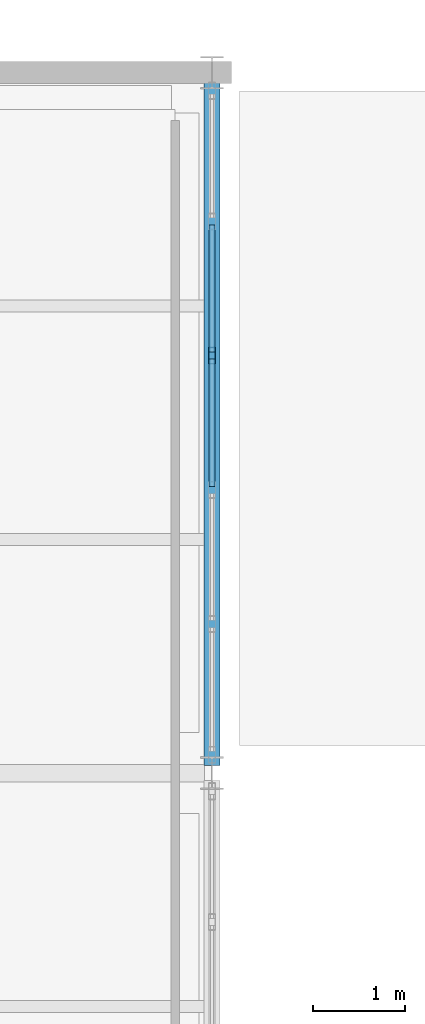
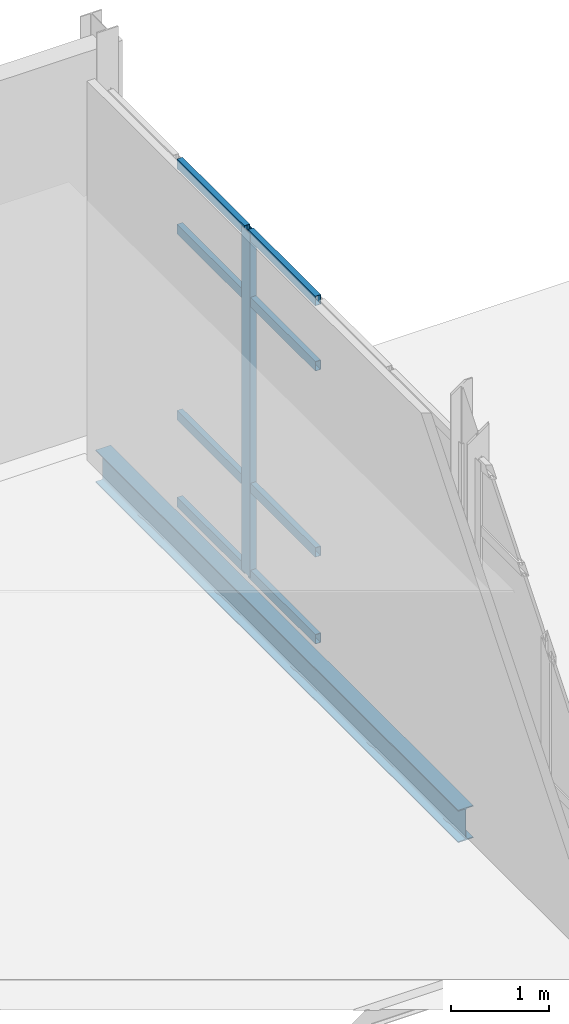
# One storey, part 74 of 161: 9 members, 1 beam, 1 element without a shape of its own.
"""IFC4 building model written with IfcOpenShell, lengths in metres."""

from ifc_helpers import new_model, si_unit, direction, frame, origin, origin_2d, place, context, subcontext, project, spatial, hollow_rectangle, i_section, extrude, material, material_profile, profile_set, type_object, element, aggregate, save


model = new_model("IFC4")

# Units and contexts
model_context = context("Model", 3, precision=1e-05, world=origin(), true_north=direction((0.0, 1.0)))
body_context = subcontext(model_context, "Body", "Model", "MODEL_VIEW")
ifc_project = project(units=[si_unit("LENGTHUNIT", "METRE"), si_unit("AREAUNIT", "SQUARE_METRE"), si_unit("VOLUMEUNIT", "CUBIC_METRE"), si_unit("PLANEANGLEUNIT", "RADIAN"), si_unit("MASSUNIT", "GRAM", prefix="KILO")], contexts=[model_context])

# Site, building, storey
site_placement = place(None, origin())
site = spatial("IfcSite", under=ifc_project, at=site_placement, CompositionType="ELEMENT")
building_placement = place(site_placement, origin())
building = spatial("IfcBuilding", under=site, at=building_placement, Name="Caisbarro Railhouse Central Library", CompositionType="ELEMENT")
storey_placement = place(building_placement, origin())
storey = spatial("IfcBuildingStorey", under=building, at=storey_placement, Name="L00", CompositionType="ELEMENT", Elevation=0.0)

# Beam
ifc_material_1 = material(Name="Steel ASTM A572 Grade 50", Category="steel")
ifc_material_profile_1 = material_profile(ifc_material_1, i_section(OverallWidth=0.177978515625, OverallDepth=0.406982421875, WebThickness=0.0078125, FlangeThickness=0.0126953125, FilletRadius=0.01611328125, at=origin_2d()), Name="W410X60.0")
ifc_profile_set_1 = profile_set([ifc_material_profile_1], Name="Steel ASTM A572 Grade 50")
beam_type = type_object("IfcBeamType", Name="BM-G10", PredefinedType="BEAM", material=ifc_profile_set_1)
beam_placement = place(storey_placement, frame((36.0, 106.47998046875, -0.45361328125), z_axis=(0.0, 1.0, 0.0), x_axis=(-1.0, 0.0, 0.0)))
element("IfcBeam", 1, at=beam_placement, inside=storey, type_object=beam_type, Name="G10 beam L00 #420", PredefinedType="BEAM", context=body_context, shape_type="SweptSolid", body=[
    extrude(i_section(OverallWidth=0.177978515625, OverallDepth=0.406982421875, WebThickness=0.0078125, FlangeThickness=0.0126953125, FilletRadius=0.01611328125, at=origin_2d()), origin(), (0.0, 0.0, 1.0), 7.43994140625),
])

# Curtain wall, members
ifc_material_2 = material(Name="Anodised architectural aluminium", Category="aluminium")
curtain_wall_type = type_object("IfcCurtainWallType", Name="CW-CW02", PredefinedType="NOTDEFINED", material=ifc_material_2)
curtain_wall_placement = place(storey_placement, origin())
curtain_wall = element("IfcCurtainWall", 2, at=curtain_wall_placement, inside=storey, type_object=curtain_wall_type, Name="CW02 curtain wall L00 #79", PredefinedType="NOTDEFINED")
ifc_material_profile_2 = material_profile(ifc_material_2, hollow_rectangle(XDim=0.074951171875, YDim=0.179931640625, WallThickness=0.00439453125, at=origin_2d()), Name="ALU-MUL-75X180")
ifc_profile_set_2 = profile_set([ifc_material_profile_2], Name="Anodised architectural aluminium")
member_type_1 = type_object("IfcMemberType", Name="CWM-M01", PredefinedType="MULLION", material=ifc_profile_set_2)
member_1_placement = place(storey_placement, frame((36.0, 110.927978515625, 0.0), z_axis=(0.0, 0.0, 1.0), x_axis=(-1.0, 0.0, 0.0)))
member_1 = element("IfcMember", 3, at=member_1_placement, type_object=member_type_1, Name="CW02 mullion 4", PredefinedType="MULLION", context=body_context, shape_type="SweptSolid", body=[
    extrude(hollow_rectangle(XDim=0.074951171875, YDim=0.179931640625, WallThickness=0.00439453125, at=origin_2d()), origin(), (0.0, 0.0, 1.0), 4.300048828125),
])
ifc_material_profile_3 = material_profile(ifc_material_2, hollow_rectangle(XDim=0.06494140625, YDim=0.1201171875, WallThickness=0.00341796875, at=origin_2d()), Name="ALU-TRN-65X120")
ifc_profile_set_3 = profile_set([ifc_material_profile_3], Name="Anodised architectural aluminium")
member_type_2 = type_object("IfcMemberType", Name="CWT-T02", PredefinedType="USERDEFINED", material=ifc_profile_set_3)
member_2_placement = place(storey_placement, frame((36.0, 109.509521484375, 0.032470703125), z_axis=(0.0, 1.0, 0.0), x_axis=(-1.0, 0.0, 0.0)))
member_2 = element("IfcMember", 4, at=member_2_placement, type_object=member_type_2, Name="CW02 transom 3.1", ObjectType="TRANSOM", PredefinedType="USERDEFINED", context=body_context, shape_type="SweptSolid", body=[
    extrude(hollow_rectangle(XDim=0.06494140625, YDim=0.1201171875, WallThickness=0.00341796875, at=origin_2d()), origin(), (0.0, 0.0, 1.0), 1.380859375),
])
member_3_placement = place(storey_placement, frame((36.0, 109.509521484375, 1.1201171875), z_axis=(0.0, 1.0, 0.0), x_axis=(-1.0, 0.0, 0.0)))
member_3 = element("IfcMember", 5, at=member_3_placement, type_object=member_type_2, Name="CW02 transom 3.2", ObjectType="TRANSOM", PredefinedType="USERDEFINED", context=body_context, shape_type="SweptSolid", body=[
    extrude(hollow_rectangle(XDim=0.06494140625, YDim=0.1201171875, WallThickness=0.00341796875, at=origin_2d()), origin(), (0.0, 0.0, 1.0), 1.380859375),
])
member_4_placement = place(storey_placement, frame((36.0, 109.509521484375, 3.449951171875), z_axis=(0.0, 1.0, 0.0), x_axis=(-1.0, 0.0, 0.0)))
member_4 = element("IfcMember", 6, at=member_4_placement, type_object=member_type_2, Name="CW02 transom 3.3", ObjectType="TRANSOM", PredefinedType="USERDEFINED", context=body_context, shape_type="SweptSolid", body=[
    extrude(hollow_rectangle(XDim=0.06494140625, YDim=0.1201171875, WallThickness=0.00341796875, at=origin_2d()), origin(), (0.0, 0.0, 1.0), 1.380859375),
])
member_5_placement = place(storey_placement, frame((36.0, 109.509521484375, 4.267578125), z_axis=(0.0, 1.0, 0.0), x_axis=(-1.0, 0.0, 0.0)))
member_5 = element("IfcMember", 7, at=member_5_placement, type_object=member_type_2, Name="CW02 transom 3.4", ObjectType="TRANSOM", PredefinedType="USERDEFINED", context=body_context, shape_type="SweptSolid", body=[
    extrude(hollow_rectangle(XDim=0.06494140625, YDim=0.1201171875, WallThickness=0.00341796875, at=origin_2d()), origin(), (0.0, 0.0, 1.0), 1.380859375),
])
member_6_placement = place(storey_placement, frame((36.0, 110.965576171875, 0.032470703125), z_axis=(0.0, 1.0, 0.0), x_axis=(-1.0, 0.0, 0.0)))
member_6 = element("IfcMember", 8, at=member_6_placement, type_object=member_type_2, Name="CW02 transom 4.1", ObjectType="TRANSOM", PredefinedType="USERDEFINED", context=body_context, shape_type="SweptSolid", body=[
    extrude(hollow_rectangle(XDim=0.06494140625, YDim=0.1201171875, WallThickness=0.00341796875, at=origin_2d()), origin(), (0.0, 0.0, 1.0), 1.380859375),
])
member_7_placement = place(storey_placement, frame((36.0, 110.965576171875, 1.1201171875), z_axis=(0.0, 1.0, 0.0), x_axis=(-1.0, 0.0, 0.0)))
member_7 = element("IfcMember", 9, at=member_7_placement, type_object=member_type_2, Name="CW02 transom 4.2", ObjectType="TRANSOM", PredefinedType="USERDEFINED", context=body_context, shape_type="SweptSolid", body=[
    extrude(hollow_rectangle(XDim=0.06494140625, YDim=0.1201171875, WallThickness=0.00341796875, at=origin_2d()), origin(), (0.0, 0.0, 1.0), 1.380859375),
])
member_8_placement = place(storey_placement, frame((36.0, 110.965576171875, 3.449951171875), z_axis=(0.0, 1.0, 0.0), x_axis=(-1.0, 0.0, 0.0)))
member_8 = element("IfcMember", 10, at=member_8_placement, type_object=member_type_2, Name="CW02 transom 4.3", ObjectType="TRANSOM", PredefinedType="USERDEFINED", context=body_context, shape_type="SweptSolid", body=[
    extrude(hollow_rectangle(XDim=0.06494140625, YDim=0.1201171875, WallThickness=0.00341796875, at=origin_2d()), origin(), (0.0, 0.0, 1.0), 1.380859375),
])
member_9_placement = place(storey_placement, frame((36.0, 110.965576171875, 4.267578125), z_axis=(0.0, 1.0, 0.0), x_axis=(-1.0, 0.0, 0.0)))
member_9 = element("IfcMember", 11, at=member_9_placement, type_object=member_type_2, Name="CW02 transom 4.4", ObjectType="TRANSOM", PredefinedType="USERDEFINED", context=body_context, shape_type="SweptSolid", body=[
    extrude(hollow_rectangle(XDim=0.06494140625, YDim=0.1201171875, WallThickness=0.00341796875, at=origin_2d()), origin(), (0.0, 0.0, 1.0), 1.380859375),
])
aggregate(curtain_wall, [member_1, member_2, member_3, member_4, member_5, member_6, member_7, member_8, member_9])

save(model, "model.ifc")
